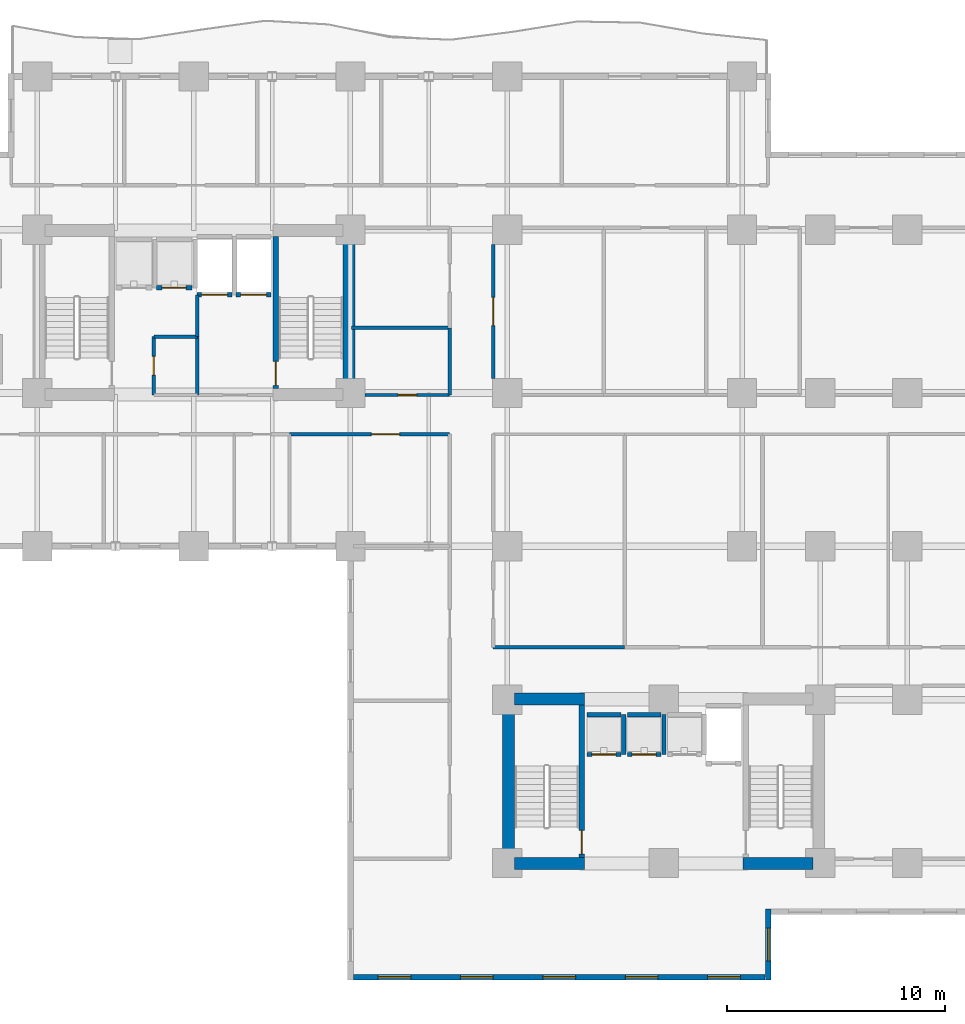
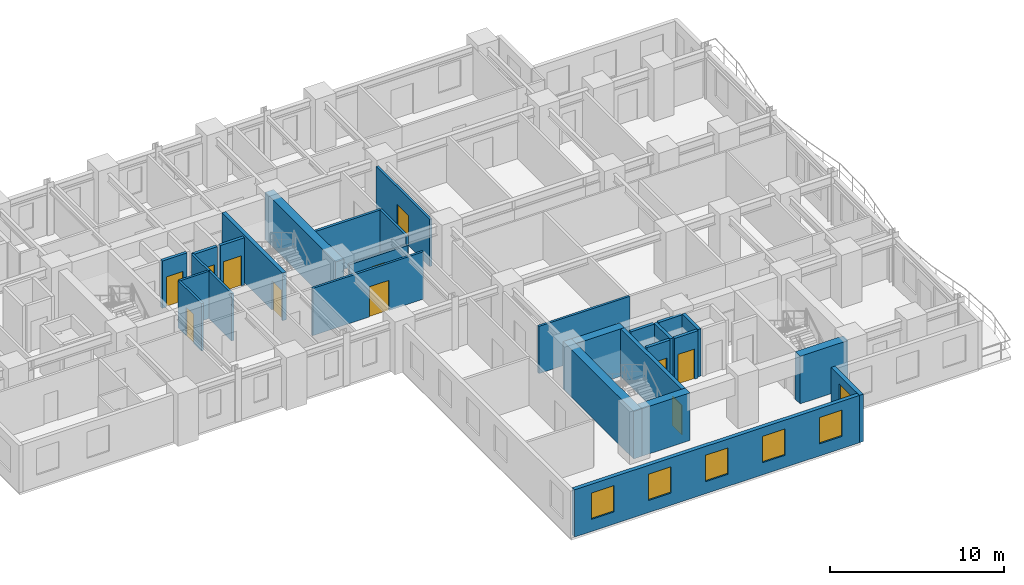
# One storey, part 4 of 12: 28 walls, 11 doors, 6 windows, 17 openings.
"""IFC4 building model written with IfcOpenShell, lengths in metres."""

import ifcopenshell
import ifcopenshell.guid

model = None  # the IFC model being written
_history = None  # IfcOwnerHistory: only IFC2X3 demands one
_inside = {}  # id of a spatial element -> (the spatial element, [elements in it])
_under = {}  # id of a project, library or spatial element -> (it, [spatial elements below it])
_declared = {}  # id of a project -> (the project, [libraries it declares])
_typed = {}  # id of a type object -> (the type object, [elements of that type])
_made_of = {}  # id of a material, layer set ... -> (it, [elements and type objects made of it])


def new_model(schema):
    """Start an empty IFC model of exactly this schema.

    Asked for "IFC4X3", IfcOpenShell would pick the latest addendum, in which some entities
    have other attributes; the version numbers below select the first issue.
    IFC2X3 requires an IfcOwnerHistory on every rooted entity: one is made here for all.
    """
    global model, _history
    if schema == "IFC4X3":
        model = ifcopenshell.file(schema_version=(4, 3, 0, 0))
    else:
        model = ifcopenshell.file(schema=schema)
    _inside.clear()
    _under.clear()
    _declared.clear()
    _typed.clear()
    _made_of.clear()
    _history = None
    if model.schema == "IFC2X3":
        org = make("IfcOrganization", Name="unknown")
        user = make(
            "IfcPersonAndOrganization",
            ThePerson=make("IfcPerson", FamilyName="unknown"),
            TheOrganization=org,
        )
        app = make(
            "IfcApplication",
            ApplicationDeveloper=org,
            Version="unknown",
            ApplicationFullName="unknown",
            ApplicationIdentifier="unknown",
        )
        _history = make(
            "IfcOwnerHistory",
            OwningUser=user,
            OwningApplication=app,
            ChangeAction="ADDED",
            CreationDate=0,
        )
    return model


def make(cls, **values):
    """One entity of the class cls with the attributes given. An attribute that is None is left unset."""
    return model.create_entity(
        cls, **{name: value for name, value in values.items() if value is not None}
    )


def rooted(cls, **values):
    """An entity with a GlobalId (a new one), such as an element, a storey or a relation."""
    return make(cls, GlobalId=ifcopenshell.guid.new(), OwnerHistory=_history, **values)


def si_unit(unit_type, name, prefix=None):
    """IfcSIUnit, for example si_unit("LENGTHUNIT", "METRE", prefix="MILLI")."""
    return make("IfcSIUnit", UnitType=unit_type, Prefix=prefix, Name=name)


def assignment(units):
    """IfcUnitAssignment: the units of a project."""
    return None if units is None else make("IfcUnitAssignment", Units=units)


def point(xyz):
    """IfcCartesianPoint."""
    return None if xyz is None else make("IfcCartesianPoint", Coordinates=xyz)


def direction(xyz):
    """IfcDirection."""
    return None if xyz is None else make("IfcDirection", DirectionRatios=xyz)


def frame(location, z_axis=None, x_axis=None):
    """IfcAxis2Placement3D, a coordinate frame: its origin and axes. An axis left out is left unset."""
    return make(
        "IfcAxis2Placement3D",
        Location=point(location),
        Axis=direction(z_axis),
        RefDirection=direction(x_axis),
    )


def frame_2d(location, x_axis=None):
    """IfcAxis2Placement2D, a coordinate frame in the plane: its origin and x axis."""
    return make(
        "IfcAxis2Placement2D", Location=point(location), RefDirection=direction(x_axis)
    )


def origin():
    """The frame at (0, 0, 0) with its axes left unset."""
    return frame((0.0, 0.0, 0.0))


def place(relative_to, where):
    """IfcLocalPlacement: puts the frame where relative to a parent placement (None: the world)."""
    return make(
        "IfcLocalPlacement", PlacementRelTo=relative_to, RelativePlacement=where
    )


def context(
    kind, dimensions, precision=None, world=None, true_north=None, identifier=None
):
    """IfcGeometricRepresentationContext, for example the 3D "Model" context."""
    return make(
        "IfcGeometricRepresentationContext",
        ContextIdentifier=identifier,
        ContextType=kind,
        CoordinateSpaceDimension=dimensions,
        Precision=precision,
        WorldCoordinateSystem=world,
        TrueNorth=true_north,
    )


def subcontext(parent, identifier, kind, view, scale=None):
    """IfcGeometricRepresentationSubContext, for example "Body" below "Model"."""
    return make(
        "IfcGeometricRepresentationSubContext",
        ContextIdentifier=identifier,
        ContextType=kind,
        ParentContext=parent,
        TargetScale=scale,
        TargetView=view,
    )


def project(units=None, contexts=None):
    """IfcProject with its units and contexts."""
    return rooted(
        "IfcProject",
        Name="project",
        RepresentationContexts=contexts,
        UnitsInContext=assignment(units),
    )


def spatial(cls, under=None, at=None, **own):
    """A site, building, storey or space (cls), placed at a placement, below another one or the project."""
    s = rooted(cls, ObjectPlacement=at, **own)
    if under is not None:
        _under.setdefault(under.id(), (under, []))[1].append(s)
    return s


def profile(cls, at=None, kind="AREA", **sizes):
    """A parametric profile (cls). Its sizes go by their IFC names, for example OverallWidth=200.0."""
    return make(cls, ProfileType=kind, Position=at, **sizes)


def rectangle(**sizes):
    """IfcRectangleProfileDef."""
    return profile("IfcRectangleProfileDef", **sizes)


def extrude(swept, where, along, depth):
    """IfcExtrudedAreaSolid: the profile swept, set in the frame where, extruded along a direction by depth."""
    return make(
        "IfcExtrudedAreaSolid",
        SweptArea=swept,
        Position=where,
        ExtrudedDirection=direction(along),
        Depth=depth,
    )


def shape(context_of_items, identifier, shape_type, items):
    """IfcShapeRepresentation: the items that make up one representation, for example the "Body"."""
    return make(
        "IfcShapeRepresentation",
        ContextOfItems=context_of_items,
        RepresentationIdentifier=identifier,
        RepresentationType=shape_type,
        Items=items,
    )


def material(Name=None, Category=None):
    """IfcMaterial."""
    return make("IfcMaterial", Name=Name, Category=Category)


def layer(
    of_material, thickness, ventilated=None, Name=None, Category=None, Priority=None
):
    """IfcMaterialLayer: one layer of a wall or slab, of a material (None: an air gap)."""
    return make(
        "IfcMaterialLayer",
        Material=of_material,
        LayerThickness=thickness,
        IsVentilated=ventilated,
        Name=Name,
        Category=Category,
        Priority=Priority,
    )


def layer_set(layers, Name=None):
    """IfcMaterialLayerSet."""
    return make("IfcMaterialLayerSet", MaterialLayers=layers, LayerSetName=Name)


def made_of(thing, what):
    """Note that an element or type object is made of a material, layer set ...; save() writes the relation."""
    if what is not None:
        _made_of.setdefault(what.id(), (what, []))[1].append(thing)
    return thing


def type_object(cls, material=None, **own):
    """A type object (cls), such as IfcWallType, which elements share."""
    return made_of(rooted(cls, **own), material)


def element(
    cls,
    number,
    at=None,
    inside=None,
    cuts=None,
    type_object=None,
    material=None,
    context=None,
    identifier="Body",
    shape_type=None,
    held_by="IfcProductDefinitionShape",
    body=None,
    shapes=None,
    **own,
):
    """One element of the class cls, such as IfcWall. Its Tag is "e" and its number.

    at: its placement. inside: the storey or other place that contains it. cuts: it is an
    opening in that element (IfcRelVoidsElement). A single representation is given by context,
    identifier, shape_type and body (its items); several are given by shapes. held_by: the class
    of the entity that holds the representations. save() writes the other relations.
    """
    e = rooted(cls, Tag="e%d" % number, ObjectPlacement=at, **own)
    if body is not None:
        shapes = [shape(context, identifier, shape_type, body)]
    if shapes is not None:
        e.Representation = make(held_by, Representations=shapes)
    if inside is not None:
        _inside.setdefault(inside.id(), (inside, []))[1].append(e)
    if cuts is not None:
        rooted(
            "IfcRelVoidsElement", RelatingBuildingElement=cuts, RelatedOpeningElement=e
        )
    if type_object is not None:
        _typed.setdefault(type_object.id(), (type_object, []))[1].append(e)
    return made_of(e, material)


def fill(opening, filler):
    """IfcRelFillsElement: the door or window that sits in an opening."""
    return rooted(
        "IfcRelFillsElement",
        RelatingOpeningElement=opening,
        RelatedBuildingElement=filler,
    )


def aggregate(whole, parts):
    """IfcRelAggregates: a whole, such as a stair, and the parts it consists of."""
    return rooted("IfcRelAggregates", RelatingObject=whole, RelatedObjects=parts)


def save(model, path):
    """Write the relations noted so far, then the file.

    IfcRelAggregates (storeys below a building ...), IfcRelContainedInSpatialStructure (elements
    in a storey), IfcRelDefinesByType, IfcRelAssociatesMaterial and IfcRelDeclares: one each for
    every whole, place, type object, material and project.
    """
    for whole, parts in _under.values():
        aggregate(whole, parts)
    for where, things in _inside.values():
        rooted(
            "IfcRelContainedInSpatialStructure",
            RelatedElements=things,
            RelatingStructure=where,
        )
    for kind, things in _typed.values():
        rooted("IfcRelDefinesByType", RelatedObjects=things, RelatingType=kind)
    for what, things in _made_of.values():
        rooted("IfcRelAssociatesMaterial", RelatedObjects=things, RelatingMaterial=what)
    for by, libraries in _declared.values():
        rooted("IfcRelDeclares", RelatingContext=by, RelatedDefinitions=libraries)
    model.write(path)


model = new_model("IFC4")

# Units and contexts
model_context = context("Model", 3, precision=1e-05, world=origin(), true_north=direction((0.0, 1.0)))
body_context = subcontext(model_context, "Body", "Model", "MODEL_VIEW")
ifc_project = project(units=[si_unit("LENGTHUNIT", "METRE"), si_unit("AREAUNIT", "SQUARE_METRE"), si_unit("VOLUMEUNIT", "CUBIC_METRE"), si_unit("PLANEANGLEUNIT", "RADIAN"), si_unit("MASSUNIT", "GRAM", prefix="KILO")], contexts=[model_context])

# Site, building, storey
site_placement = place(None, origin())
site = spatial("IfcSite", under=ifc_project, at=site_placement, CompositionType="ELEMENT")
building_placement = place(site_placement, origin())
building = spatial("IfcBuilding", under=site, at=building_placement, Name="Kaliganga Portal Commons", CompositionType="ELEMENT")
storey_placement = place(building_placement, frame((0.0, 0.0, 69.699951171875)))
storey = spatial("IfcBuildingStorey", under=building, at=storey_placement, Name="L17", CompositionType="ELEMENT", Elevation=69.699951171875)

# Walls
ifc_material_1 = material(Name="Concrete C60/75", Category="concrete")
ifc_layer_1 = layer(ifc_material_1, 0.550048828125)
ifc_layer_set_1 = layer_set([ifc_layer_1], Name="Concrete C60/75")
wall_type_1 = type_object("IfcWallType", Name="WL-CORE-550", PredefinedType="SHEAR", material=ifc_layer_set_1)
wall_1_placement = place(storey_placement, frame((28.72509765625, 28.300048828125, 0.0), z_axis=(0.0, 0.0, 1.0), x_axis=(0.0, 1.0, 0.0)))
element("IfcWall", 1, at=wall_1_placement, inside=storey, type_object=wall_type_1, Name="Core A East Shear Wall L17", PredefinedType="SHEAR", context=body_context, shape_type="SweptSolid", body=[
    extrude(rectangle(XDim=8.099853515625, YDim=0.550048828125, at=frame_2d((4.0498046875, 0.0))), origin(), (0.0, 0.0, 1.0), 3.340087890625),
])
wall_2_placement = place(storey_placement, frame((36.074951171875, 6.75, 0.0), z_axis=(0.0, 0.0, 1.0), x_axis=(0.0, 1.0, 0.0)))
element("IfcWall", 2, at=wall_2_placement, inside=storey, type_object=wall_type_1, Name="Core B West Shear Wall L17", PredefinedType="SHEAR", context=body_context, shape_type="SweptSolid", body=[
    extrude(rectangle(XDim=8.10009765625, YDim=0.550048828125, at=frame_2d((4.050048828125, 0.0))), origin(), (0.0, 0.0, 1.0), 3.340087890625),
])
for number, where, z_axis, x_axis, name in (
    (3, (36.35009765625, 7.02490234375, 0.0), (0.0, 0.0, 1.0), (1.0, 0.0, 0.0), "Core B S-West Shear Wall L17"),
    (4, (46.85009765625, 7.02490234375, 0.0), (0.0, 0.0, 1.0), (1.0, 0.0, 0.0), "Core B S-East Shear Wall L17"),
    (5, (36.35009765625, 14.574951171875, 0.0), (0.0, 0.0, 1.0), (1.0, 0.0, 0.0), "Core B N-West Shear Wall L17"),
):
    element("IfcWall", number, at=place(storey_placement, frame(where, z_axis=z_axis, x_axis=x_axis)), inside=storey, type_object=wall_type_1, Name=name, PredefinedType="SHEAR", context=body_context, shape_type="SweptSolid", body=[
        extrude(rectangle(XDim=3.199951171875, YDim=0.550048828125, at=frame_2d((1.60009765625, 0.0))), origin(), (0.0, 0.0, 1.0), 3.340087890625),
    ])

# Wall, openings, windows
ifc_material_2 = material(Name="Insulated Aluminium-Clad Spandrel Assembly", Category="aluminium")
ifc_layer_2 = layer(ifc_material_2, 0.260009765625)
ifc_layer_set_2 = layer_set([ifc_layer_2], Name="Insulated Aluminium-Clad Spandrel Assembly")
wall_type_2 = type_object("IfcWallType", Name="WL-EXT-SPAND-260", PredefinedType="STANDARD", material=ifc_layer_set_2)
wall_3_placement = place(storey_placement, frame((47.864990234375, 1.800048828125, 0.0), z_axis=(0.0, 0.0, 1.0), x_axis=(-1.0, 0.0, 0.0)))
wall_3 = element("IfcWall", 6, at=wall_3_placement, inside=storey, type_object=wall_type_2, Name="Exterior Envelope Wall L17 P1-E00-S1", PredefinedType="STANDARD", context=body_context, shape_type="SweptSolid", body=[
    extrude(rectangle(XDim=18.929931640625, YDim=0.260009765625, at=frame_2d((9.46484375, 0.0))), origin(), (0.0, 0.0, 1.0), 3.320068359375),
])
opening_1_placement = place(wall_3_placement, frame((1.14306640625, 0.0, 0.85009765625)))
opening_1 = element("IfcOpeningElement", 7, at=opening_1_placement, cuts=wall_3, Name="Opening W-02", PredefinedType="OPENING", context=body_context, shape_type="SweptSolid", body=[
    extrude(rectangle(XDim=1.5, YDim=1.85009765625, at=frame_2d((0.75, 0.925048828125))), frame((0.0, 0.14013671875, 0.0), z_axis=(0.0, -1.0, 0.0), x_axis=(1.0, 0.0, 0.0)), (0.0, 0.0, 1.0), 0.280029296875),
])
opening_2_placement = place(wall_3_placement, frame((4.928955078125, 0.0, 0.85009765625)))
opening_2 = element("IfcOpeningElement", 8, at=opening_2_placement, cuts=wall_3, Name="Opening W-02", PredefinedType="OPENING", context=body_context, shape_type="SweptSolid", body=[
    extrude(rectangle(XDim=1.5, YDim=1.85009765625, at=frame_2d((0.75, 0.925048828125))), frame((0.0, 0.14013671875, 0.0), z_axis=(0.0, -1.0, 0.0), x_axis=(1.0, 0.0, 0.0)), (0.0, 0.0, 1.0), 0.280029296875),
])
opening_3_placement = place(wall_3_placement, frame((8.715087890625, 0.0, 0.85009765625)))
opening_3 = element("IfcOpeningElement", 9, at=opening_3_placement, cuts=wall_3, Name="Opening W-02", PredefinedType="OPENING", context=body_context, shape_type="SweptSolid", body=[
    extrude(rectangle(XDim=1.5, YDim=1.85009765625, at=frame_2d((0.75, 0.925048828125))), frame((0.0, 0.14013671875, 0.0), z_axis=(0.0, -1.0, 0.0), x_axis=(1.0, 0.0, 0.0)), (0.0, 0.0, 1.0), 0.280029296875),
])
opening_4_placement = place(wall_3_placement, frame((12.5009765625, 0.0, 0.85009765625)))
opening_4 = element("IfcOpeningElement", 10, at=opening_4_placement, cuts=wall_3, Name="Opening W-02", PredefinedType="OPENING", context=body_context, shape_type="SweptSolid", body=[
    extrude(rectangle(XDim=1.5, YDim=1.85009765625, at=frame_2d((0.75, 0.925048828125))), frame((0.0, 0.14013671875, 0.0), z_axis=(0.0, -1.0, 0.0), x_axis=(1.0, 0.0, 0.0)), (0.0, 0.0, 1.0), 0.280029296875),
])
opening_5_placement = place(wall_3_placement, frame((16.287109375, 0.0, 0.85009765625)))
opening_5 = element("IfcOpeningElement", 11, at=opening_5_placement, cuts=wall_3, Name="Opening W-02", PredefinedType="OPENING", context=body_context, shape_type="SweptSolid", body=[
    extrude(rectangle(XDim=1.5, YDim=1.85009765625, at=frame_2d((0.75, 0.925048828125))), frame((0.0, 0.14013671875, 0.0), z_axis=(0.0, -1.0, 0.0), x_axis=(1.0, 0.0, 0.0)), (0.0, 0.0, 1.0), 0.280029296875),
])
ifc_material_3 = material(Name="Thermally Broken Aluminium and Low-E Double Glazing", Category="aluminium")
window_type = type_object("IfcWindowType", Name="WIN-STD-1500", PartitioningType="DOUBLE_PANEL_VERTICAL", PredefinedType="WINDOW", material=ifc_material_3)
window_1_placement = place(opening_1_placement, origin())
window_1 = element("IfcWindow", 12, at=window_1_placement, inside=storey, type_object=window_type, Name="Facade Window L17-P1E00S1-00", OverallHeight=1.85009765625, OverallWidth=1.5, PartitioningType="SINGLE_PANEL", PredefinedType="WINDOW", context=body_context, shape_type="SweptSolid", body=[
    extrude(rectangle(XDim=1.5, YDim=1.85009765625, at=frame_2d((0.75, 0.925048828125))), frame((0.0, 0.030029296875, 0.0), z_axis=(0.0, -1.0, 0.0), x_axis=(1.0, 0.0, 0.0)), (0.0, 0.0, 1.0), 0.06005859375),
])
fill(opening_1, window_1)
window_2_placement = place(opening_2_placement, origin())
window_2 = element("IfcWindow", 13, at=window_2_placement, inside=storey, type_object=window_type, Name="Facade Window L17-P1E00S1-01", OverallHeight=1.85009765625, OverallWidth=1.5, PartitioningType="SINGLE_PANEL", PredefinedType="WINDOW", context=body_context, shape_type="SweptSolid", body=[
    extrude(rectangle(XDim=1.5, YDim=1.85009765625, at=frame_2d((0.75, 0.925048828125))), frame((0.0, 0.030029296875, 0.0), z_axis=(0.0, -1.0, 0.0), x_axis=(1.0, 0.0, 0.0)), (0.0, 0.0, 1.0), 0.06005859375),
])
fill(opening_2, window_2)
window_3_placement = place(opening_3_placement, origin())
window_3 = element("IfcWindow", 14, at=window_3_placement, inside=storey, type_object=window_type, Name="Facade Window L17-P1E00S1-02", OverallHeight=1.85009765625, OverallWidth=1.5, PartitioningType="SINGLE_PANEL", PredefinedType="WINDOW", context=body_context, shape_type="SweptSolid", body=[
    extrude(rectangle(XDim=1.5, YDim=1.85009765625, at=frame_2d((0.75, 0.925048828125))), frame((0.0, 0.030029296875, 0.0), z_axis=(0.0, -1.0, 0.0), x_axis=(1.0, 0.0, 0.0)), (0.0, 0.0, 1.0), 0.06005859375),
])
fill(opening_3, window_3)
window_4_placement = place(opening_4_placement, origin())
window_4 = element("IfcWindow", 15, at=window_4_placement, inside=storey, type_object=window_type, Name="Facade Window L17-P1E00S1-03", OverallHeight=1.85009765625, OverallWidth=1.5, PartitioningType="SINGLE_PANEL", PredefinedType="WINDOW", context=body_context, shape_type="SweptSolid", body=[
    extrude(rectangle(XDim=1.5, YDim=1.85009765625, at=frame_2d((0.75, 0.925048828125))), frame((0.0, 0.030029296875, 0.0), z_axis=(0.0, -1.0, 0.0), x_axis=(1.0, 0.0, 0.0)), (0.0, 0.0, 1.0), 0.06005859375),
])
fill(opening_4, window_4)
window_5_placement = place(opening_5_placement, origin())
window_5 = element("IfcWindow", 16, at=window_5_placement, inside=storey, type_object=window_type, Name="Facade Window L17-P1E00S1-04", OverallHeight=1.85009765625, OverallWidth=1.5, PartitioningType="SINGLE_PANEL", PredefinedType="WINDOW", context=body_context, shape_type="SweptSolid", body=[
    extrude(rectangle(XDim=1.5, YDim=1.85009765625, at=frame_2d((0.75, 0.925048828125))), frame((0.0, 0.030029296875, 0.0), z_axis=(0.0, -1.0, 0.0), x_axis=(1.0, 0.0, 0.0)), (0.0, 0.0, 1.0), 0.06005859375),
])
fill(opening_5, window_5)

# Wall, opening, window
wall_4_placement = place(storey_placement, frame((48.0, 4.929931640625, 0.0), z_axis=(0.0, 0.0, 1.0), x_axis=(0.0, -1.0, 0.0)))
wall_4 = element("IfcWall", 17, at=wall_4_placement, inside=storey, type_object=wall_type_2, Name="Exterior Envelope Wall L17 P1-E01-S1", PredefinedType="STANDARD", context=body_context, shape_type="SweptSolid", body=[
    extrude(rectangle(XDim=3.260009765625, YDim=0.260009765625, at=frame_2d((1.6298828125, 0.0))), origin(), (0.0, 0.0, 1.0), 3.320068359375),
])
opening_6_placement = place(wall_4_placement, frame((0.8798828125, 0.0, 0.85009765625)))
opening_6 = element("IfcOpeningElement", 18, at=opening_6_placement, cuts=wall_4, Name="Opening W-02", PredefinedType="OPENING", context=body_context, shape_type="SweptSolid", body=[
    extrude(rectangle(XDim=1.5, YDim=1.85009765625, at=frame_2d((0.75, 0.925048828125))), frame((0.0, 0.14013671875, 0.0), z_axis=(0.0, -1.0, 0.0), x_axis=(1.0, 0.0, 0.0)), (0.0, 0.0, 1.0), 0.280029296875),
])
window_6_placement = place(opening_6_placement, origin())
window_6 = element("IfcWindow", 19, at=window_6_placement, inside=storey, type_object=window_type, Name="Facade Window L17-P1E01S1-00", OverallHeight=1.85009765625, OverallWidth=1.5, PartitioningType="SINGLE_PANEL", PredefinedType="WINDOW", context=body_context, shape_type="SweptSolid", body=[
    extrude(rectangle(XDim=1.5, YDim=1.85009765625, at=frame_2d((0.75, 0.925048828125))), frame((0.0, 0.030029296875, 0.0), z_axis=(0.0, -1.0, 0.0), x_axis=(1.0, 0.0, 0.0)), (0.0, 0.0, 1.0), 0.06005859375),
])
fill(opening_6, window_6)

# Wall, opening, door
ifc_material_4 = material(Name="Fire-Rated Gypsum Board on Steel Stud", Category="steel")
ifc_layer_3 = layer(ifc_material_4, 0.14990234375)
ifc_layer_set_3 = layer_set([ifc_layer_3], Name="Fire-Rated Gypsum Board on Steel Stud")
wall_type_3 = type_object("IfcWallType", Name="WL-PART-CORR-150", PredefinedType="PARTITIONING", material=ifc_layer_set_3)
wall_5_placement = place(storey_placement, frame((35.360107421875, 29.324951171875, 0.0), z_axis=(0.0, 0.0, 1.0), x_axis=(0.0, 1.0, 0.0)))
wall_5 = element("IfcWall", 20, at=wall_5_placement, inside=storey, type_object=wall_type_3, Name="Interior Partition L17-010", PredefinedType="PARTITIONING", context=body_context, shape_type="SweptSolid", body=[
    extrude(rectangle(XDim=6.150146484375, YDim=0.14990234375, at=frame_2d((3.0751953125, 0.0))), origin(), (0.0, 0.0, 1.0), 3.320068359375),
])
opening_7_placement = place(wall_5_placement, frame((2.425048828125, 0.0, 0.0)))
opening_7 = element("IfcOpeningElement", 21, at=opening_7_placement, cuts=wall_5, Name="Opening RD-03", PredefinedType="OPENING", context=body_context, shape_type="SweptSolid", body=[
    extrude(rectangle(XDim=1.300048828125, YDim=2.1201171875, at=frame_2d((0.64990234375, 1.06005859375))), frame((0.0, 0.0849609375, 0.0), z_axis=(0.0, -1.0, 0.0), x_axis=(1.0, 0.0, 0.0)), (0.0, 0.0, 1.0), 0.169921875),
])
ifc_material_5 = material(Name="Glazed Timber Seminar Vision Door", Category="wood")
door_type_1 = type_object("IfcDoorType", Name="DR-STUDY-1300", OperationType="DOUBLE_DOOR_SINGLE_SWING", PredefinedType="DOOR", material=ifc_material_5)
door_1_placement = place(opening_7_placement, origin())
door_1 = element("IfcDoor", 22, at=door_1_placement, inside=storey, type_object=door_type_1, Name="Interior Door L17-BK01", OperationType="DOUBLE_DOOR_SINGLE_SWING", OverallHeight=2.1201171875, OverallWidth=1.300048828125, PredefinedType="DOOR", context=body_context, shape_type="SweptSolid", body=[
    extrude(rectangle(XDim=1.300048828125, YDim=2.1201171875, at=frame_2d((0.64990234375, 1.06005859375))), frame((0.0, 0.02490234375, 0.0), z_axis=(0.0, -1.0, 0.0), x_axis=(1.0, 0.0, 0.0)), (0.0, 0.0, 1.0), 0.050048828125),
])
fill(opening_7, door_1)

wall_6_placement = place(storey_placement, frame((26.0, 26.760009765625, 0.0), z_axis=(0.0, 0.0, 1.0), x_axis=(1.0, 0.0, 0.0)))
wall_6 = element("IfcWall", 23, at=wall_6_placement, inside=storey, type_object=wall_type_3, Name="Interior Partition L17-012", PredefinedType="PARTITIONING", context=body_context, shape_type="SweptSolid", body=[
    extrude(rectangle(XDim=7.360107421875, YDim=0.14990234375, at=frame_2d((3.68017578125, 0.0))), origin(), (0.0, 0.0, 1.0), 3.320068359375),
])
opening_8_placement = place(wall_6_placement, frame((3.76611328125, 0.0, 0.0)))
opening_8 = element("IfcOpeningElement", 24, at=opening_8_placement, cuts=wall_6, Name="Opening RD-03", PredefinedType="OPENING", context=body_context, shape_type="SweptSolid", body=[
    extrude(rectangle(XDim=1.300048828125, YDim=2.1201171875, at=frame_2d((0.64990234375, 1.06005859375))), frame((0.0, 0.0849609375, 0.0), z_axis=(0.0, -1.0, 0.0), x_axis=(1.0, 0.0, 0.0)), (0.0, 0.0, 1.0), 0.169921875),
])
door_2_placement = place(opening_8_placement, origin())
door_2 = element("IfcDoor", 25, at=door_2_placement, inside=storey, type_object=door_type_1, Name="Interior Door L17-AS05", OperationType="DOUBLE_DOOR_SINGLE_SWING", OverallHeight=2.1201171875, OverallWidth=1.300048828125, PredefinedType="DOOR", context=body_context, shape_type="SweptSolid", body=[
    extrude(rectangle(XDim=1.300048828125, YDim=2.1201171875, at=frame_2d((0.64990234375, 1.06005859375))), frame((0.0, 0.02490234375, 0.0), z_axis=(0.0, -1.0, 0.0), x_axis=(1.0, 0.0, 0.0)), (0.0, 0.0, 1.0), 0.050048828125),
])
fill(opening_8, door_2)

# Wall
wall_7_placement = place(storey_placement, frame((35.360107421875, 16.9599609375, 0.0), z_axis=(0.0, 0.0, 1.0), x_axis=(1.0, 0.0, 0.0)))
element("IfcWall", 26, at=wall_7_placement, inside=storey, type_object=wall_type_3, Name="Interior Partition L17-021", PredefinedType="PARTITIONING", context=body_context, shape_type="SweptSolid", body=[
    extrude(rectangle(XDim=6.039794921875, YDim=0.14990234375, at=frame_2d((3.02001953125, 0.0))), origin(), (0.0, 0.0, 1.0), 3.320068359375),
])

# Wall, opening, door
wall_8_placement = place(storey_placement, frame((29.47509765625, 28.56005859375, 0.0), z_axis=(0.0, 0.0, 1.0), x_axis=(1.0, 0.0, 0.0)))
wall_8 = element("IfcWall", 27, at=wall_8_placement, inside=storey, type_object=wall_type_3, Name="Interior Partition L17-034", PredefinedType="PARTITIONING", context=body_context, shape_type="SweptSolid", body=[
    extrude(rectangle(XDim=3.885009765625, YDim=0.14990234375, at=frame_2d((1.9423828125, 0.0))), origin(), (0.0, 0.0, 1.0), 2.670166015625),
])
opening_9_placement = place(wall_8_placement, frame((1.512451171875, 0.0, 0.0)))
opening_9 = element("IfcOpeningElement", 28, at=opening_9_placement, cuts=wall_8, Name="Opening WD-02", PredefinedType="OPENING", context=body_context, shape_type="SweptSolid", body=[
    extrude(rectangle(XDim=0.860107421875, YDim=2.02001953125, at=frame_2d((0.43017578125, 1.010009765625))), frame((0.0, 0.0849609375, 0.0), z_axis=(0.0, -1.0, 0.0), x_axis=(1.0, 0.0, 0.0)), (0.0, 0.0, 1.0), 0.169921875),
])
ifc_material_6 = material(Name="Fire-Rated Utility Closet Door", Category="wood")
door_type_2 = type_object("IfcDoorType", Name="DR-STORE-800", OperationType="NOTDEFINED", PredefinedType="DOOR", material=ifc_material_6)
door_3_placement = place(opening_9_placement, origin())
door_3 = element("IfcDoor", 29, at=door_3_placement, inside=storey, type_object=door_type_2, Name="Interior Door L17-CSRV_A1", OperationType="SINGLE_SWING_LEFT", OverallHeight=2.02001953125, OverallWidth=0.860107421875, PredefinedType="DOOR", context=body_context, shape_type="SweptSolid", body=[
    extrude(rectangle(XDim=0.860107421875, YDim=2.02001953125, at=frame_2d((0.43017578125, 1.010009765625))), frame((0.0, 0.02490234375, 0.0), z_axis=(0.0, -1.0, 0.0), x_axis=(1.0, 0.0, 0.0)), (0.0, 0.0, 1.0), 0.050048828125),
])
fill(opening_9, door_3)

# Wall
wall_9_placement = place(storey_placement, frame((33.360107421875, 28.56005859375, 0.0), z_axis=(0.0, 0.0, 1.0), x_axis=(0.0, 1.0, 0.0)))
element("IfcWall", 30, at=wall_9_placement, inside=storey, type_object=wall_type_3, Name="Interior Partition L17-041", PredefinedType="PARTITIONING", context=body_context, shape_type="SweptSolid", body=[
    extrude(rectangle(XDim=3.079833984375, YDim=0.14990234375, at=frame_2d((1.5400390625, 0.0))), origin(), (0.0, 0.0, 1.0), 3.320068359375),
])

# Wall, opening, door
wall_10_placement = place(storey_placement, frame((19.760009765625, 28.56005859375, 0.0), z_axis=(0.0, 0.0, 1.0), x_axis=(0.0, 1.0, 0.0)))
wall_10 = element("IfcWall", 31, at=wall_10_placement, inside=storey, type_object=wall_type_3, Name="Interior Partition L17-042", PredefinedType="PARTITIONING", context=body_context, shape_type="SweptSolid", body=[
    extrude(rectangle(XDim=2.679931640625, YDim=0.14990234375, at=frame_2d((1.33984375, 0.0))), origin(), (0.0, 0.0, 1.0), 3.320068359375),
])
opening_10_placement = place(wall_10_placement, frame((0.909912109375, 0.0, 0.0)))
opening_10 = element("IfcOpeningElement", 32, at=opening_10_placement, cuts=wall_10, Name="Opening WD-02", PredefinedType="OPENING", context=body_context, shape_type="SweptSolid", body=[
    extrude(rectangle(XDim=0.860107421875, YDim=2.02001953125, at=frame_2d((0.43017578125, 1.010009765625))), frame((0.0, 0.0849609375, 0.0), z_axis=(0.0, -1.0, 0.0), x_axis=(1.0, 0.0, 0.0)), (0.0, 0.0, 1.0), 0.169921875),
])
door_4_placement = place(opening_10_placement, origin())
door_4 = element("IfcDoor", 33, at=door_4_placement, inside=storey, type_object=door_type_2, Name="Interior Door L17-CIN_A1", OperationType="SINGLE_SWING_RIGHT", OverallHeight=2.02001953125, OverallWidth=0.860107421875, PredefinedType="DOOR", context=body_context, shape_type="SweptSolid", body=[
    extrude(rectangle(XDim=0.860107421875, YDim=2.02001953125, at=frame_2d((0.43017578125, 1.010009765625))), frame((0.0, 0.02490234375, 0.0), z_axis=(0.0, -1.0, 0.0), x_axis=(1.0, 0.0, 0.0)), (0.0, 0.0, 1.0), 0.050048828125),
])
fill(opening_10, door_4)

# Walls
wall_11_placement = place(storey_placement, frame((21.760009765625, 28.56005859375, 0.0), z_axis=(0.0, 0.0, 1.0), x_axis=(0.0, 1.0, 0.0)))
element("IfcWall", 34, at=wall_11_placement, inside=storey, type_object=wall_type_3, Name="Interior Partition L17-043", PredefinedType="PARTITIONING", context=body_context, shape_type="SweptSolid", body=[
    extrude(rectangle(XDim=2.679931640625, YDim=0.14990234375, at=frame_2d((1.33984375, 0.0))), origin(), (0.0, 0.0, 1.0), 3.320068359375),
])
wall_12_placement = place(storey_placement, frame((19.760009765625, 31.239990234375, 0.0), z_axis=(0.0, 0.0, 1.0), x_axis=(1.0, 0.0, 0.0)))
element("IfcWall", 35, at=wall_12_placement, inside=storey, type_object=wall_type_3, Name="Interior Partition L17-046", PredefinedType="PARTITIONING", context=body_context, shape_type="SweptSolid", body=[
    extrude(rectangle(XDim=2.0, YDim=0.14990234375, at=frame_2d((1.0, 0.0))), origin(), (0.0, 0.0, 1.0), 3.320068359375),
])
wall_13_placement = place(storey_placement, frame((21.760009765625, 31.239990234375, 0.0), z_axis=(0.0, 0.0, 1.0), x_axis=(0.0, 1.0, 0.0)))
element("IfcWall", 36, at=wall_13_placement, inside=storey, type_object=wall_type_3, Name="Interior Partition L17-082", PredefinedType="PARTITIONING", context=body_context, shape_type="SweptSolid", body=[
    extrude(rectangle(XDim=1.919921875, YDim=0.14990234375, at=frame_2d((0.9599609375, 0.0))), origin(), (0.0, 0.0, 1.0), 3.320068359375),
])
ifc_material_7 = material(Name="Twin-Stud Acoustic Gypsum Partition", Category="gypsum")
ifc_layer_4 = layer(ifc_material_7, 0.1650390625)
ifc_layer_set_4 = layer_set([ifc_layer_4], Name="Twin-Stud Acoustic Gypsum Partition")
wall_type_4 = type_object("IfcWallType", Name="WL-PART-UNIT-165", PredefinedType="PARTITIONING", material=ifc_layer_set_4)
wall_14_placement = place(storey_placement, frame((28.840087890625, 31.639892578125, 0.0), z_axis=(0.0, 0.0, 1.0), x_axis=(1.0, 0.0, 0.0)))
element("IfcWall", 37, at=wall_14_placement, inside=storey, type_object=wall_type_4, Name="Interior Partition L17-076", PredefinedType="PARTITIONING", context=body_context, shape_type="SweptSolid", body=[
    extrude(rectangle(XDim=4.52001953125, YDim=0.1650390625, at=frame_2d((2.260009765625, 0.0))), origin(), (0.0, 0.0, 1.0), 3.320068359375),
])

# Wall, opening, door
ifc_material_8 = material(Name="Fire-Rated Shaftwall Masonry Assembly", Category="masonry")
ifc_layer_5 = layer(ifc_material_8, 0.199951171875)
ifc_layer_set_5 = layer_set([ifc_layer_5], Name="Fire-Rated Shaftwall Masonry Assembly")
wall_type_5 = type_object("IfcWallType", Name="WL-SHAFT-200", PredefinedType="PARTITIONING", material=ifc_layer_set_5)
wall_15_placement = place(storey_placement, frame((19.875, 33.485107421875, 0.0), z_axis=(0.0, 0.0, 1.0), x_axis=(1.0, 0.0, 0.0)))
wall_15 = element("IfcWall", 38, at=wall_15_placement, inside=storey, type_object=wall_type_5, Name="Lift PL-A2 Hoistway Shaft Wall L17-S", PredefinedType="PARTITIONING", context=body_context, shape_type="SweptSolid", body=[
    extrude(rectangle(XDim=1.64990234375, YDim=0.199951171875, at=frame_2d((0.824951171875, 0.0))), origin(), (0.0, 0.0, 1.0), 3.320068359375),
])
opening_11_placement = place(wall_15_placement, frame((0.27490234375, 0.0, 0.0)))
opening_11 = element("IfcOpeningElement", 39, at=opening_11_placement, cuts=wall_15, Name="Opening LD-01", PredefinedType="OPENING", context=body_context, shape_type="SweptSolid", body=[
    extrude(rectangle(XDim=1.10009765625, YDim=2.1201171875, at=frame_2d((0.550048828125, 1.06005859375))), frame((0.0, 0.10986328125, 0.0), z_axis=(0.0, -1.0, 0.0), x_axis=(1.0, 0.0, 0.0)), (0.0, 0.0, 1.0), 0.219970703125),
])
ifc_material_9 = material(Name="Brushed Stainless Steel 316 Lift Landing Door", Category="steel")
door_type_3 = type_object("IfcDoorType", Name="DR-LIFT-1100", OperationType="SLIDING_TO_LEFT", PredefinedType="DOOR", material=ifc_material_9)
door_5_placement = place(opening_11_placement, origin())
door_5 = element("IfcDoor", 40, at=door_5_placement, inside=storey, type_object=door_type_3, Name="Lift PL-A2 Sliding Landing Door L17", OperationType="SLIDING_TO_LEFT", OverallHeight=2.1201171875, OverallWidth=1.10009765625, PredefinedType="DOOR", context=body_context, shape_type="SweptSolid", body=[
    extrude(rectangle(XDim=1.10009765625, YDim=2.1201171875, at=frame_2d((0.550048828125, 1.06005859375))), frame((0.0, 0.02490234375, 0.0), z_axis=(0.0, -1.0, 0.0), x_axis=(1.0, 0.0, 0.0)), (0.0, 0.0, 1.0), 0.050048828125),
])
fill(opening_11, door_5)

wall_16_placement = place(storey_placement, frame((21.75, 33.159912109375, 0.0), z_axis=(0.0, 0.0, 1.0), x_axis=(1.0, 0.0, 0.0)))
wall_16 = element("IfcWall", 41, at=wall_16_placement, inside=storey, type_object=wall_type_5, Name="Lift FFL-1 Hoistway Shaft Wall L17-S", PredefinedType="PARTITIONING", context=body_context, shape_type="SweptSolid", body=[
    extrude(rectangle(XDim=1.60009765625, YDim=0.199951171875, at=frame_2d((0.800048828125, 0.0))), origin(), (0.0, 0.0, 1.0), 3.320068359375),
])
opening_12_placement = place(wall_16_placement, frame((0.199951171875, 0.0, 0.0)))
opening_12 = element("IfcOpeningElement", 42, at=opening_12_placement, cuts=wall_16, Name="Opening LD-02", PredefinedType="OPENING", context=body_context, shape_type="SweptSolid", body=[
    extrude(rectangle(XDim=1.199951171875, YDim=2.1201171875, at=frame_2d((0.60009765625, 1.06005859375))), frame((0.0, 0.10986328125, 0.0), z_axis=(0.0, -1.0, 0.0), x_axis=(1.0, 0.0, 0.0)), (0.0, 0.0, 1.0), 0.219970703125),
])
ifc_material_10 = material(Name="Brushed Stainless Steel 316 Stretcher Lift Landing Door", Category="steel")
door_type_4 = type_object("IfcDoorType", Name="DR-LIFT-1200", OperationType="SLIDING_TO_RIGHT", PredefinedType="DOOR", material=ifc_material_10)
door_6_placement = place(opening_12_placement, origin())
door_6 = element("IfcDoor", 43, at=door_6_placement, inside=storey, type_object=door_type_4, Name="Lift FFL-1 Sliding Landing Door L17", OperationType="SLIDING_TO_RIGHT", OverallHeight=2.1201171875, OverallWidth=1.199951171875, PredefinedType="DOOR", context=body_context, shape_type="SweptSolid", body=[
    extrude(rectangle(XDim=1.199951171875, YDim=2.1201171875, at=frame_2d((0.60009765625, 1.06005859375))), frame((0.0, 0.02490234375, 0.0), z_axis=(0.0, -1.0, 0.0), x_axis=(1.0, 0.0, 0.0)), (0.0, 0.0, 1.0), 0.050048828125),
])
fill(opening_12, door_6)

wall_17_placement = place(storey_placement, frame((23.550048828125, 33.159912109375, 0.0), z_axis=(0.0, 0.0, 1.0), x_axis=(1.0, 0.0, 0.0)))
wall_17 = element("IfcWall", 44, at=wall_17_placement, inside=storey, type_object=wall_type_5, Name="Lift FFL-2 Hoistway Shaft Wall L17-S", PredefinedType="PARTITIONING", context=body_context, shape_type="SweptSolid", body=[
    extrude(rectangle(XDim=1.599853515625, YDim=0.199951171875, at=frame_2d((0.7998046875, 0.0))), origin(), (0.0, 0.0, 1.0), 3.320068359375),
])
opening_13_placement = place(wall_17_placement, frame((0.199951171875, 0.0, 0.0)))
opening_13 = element("IfcOpeningElement", 45, at=opening_13_placement, cuts=wall_17, Name="Opening LD-02", PredefinedType="OPENING", context=body_context, shape_type="SweptSolid", body=[
    extrude(rectangle(XDim=1.199951171875, YDim=2.1201171875, at=frame_2d((0.60009765625, 1.06005859375))), frame((0.0, 0.10986328125, 0.0), z_axis=(0.0, -1.0, 0.0), x_axis=(1.0, 0.0, 0.0)), (0.0, 0.0, 1.0), 0.219970703125),
])
door_7_placement = place(opening_13_placement, origin())
door_7 = element("IfcDoor", 46, at=door_7_placement, inside=storey, type_object=door_type_4, Name="Lift FFL-2 Sliding Landing Door L17", OperationType="SLIDING_TO_RIGHT", OverallHeight=2.1201171875, OverallWidth=1.199951171875, PredefinedType="DOOR", context=body_context, shape_type="SweptSolid", body=[
    extrude(rectangle(XDim=1.199951171875, YDim=2.1201171875, at=frame_2d((0.60009765625, 1.06005859375))), frame((0.0, 0.02490234375, 0.0), z_axis=(0.0, -1.0, 0.0), x_axis=(1.0, 0.0, 0.0)), (0.0, 0.0, 1.0), 0.050048828125),
])
fill(opening_13, door_7)

wall_18_placement = place(storey_placement, frame((39.675048828125, 12.034912109375, 0.0), z_axis=(0.0, 0.0, 1.0), x_axis=(1.0, 0.0, 0.0)))
wall_18 = element("IfcWall", 47, at=wall_18_placement, inside=storey, type_object=wall_type_5, Name="Lift PL-B1 Hoistway Shaft Wall L17-S", PredefinedType="PARTITIONING", context=body_context, shape_type="SweptSolid", body=[
    extrude(rectangle(XDim=1.550048828125, YDim=0.199951171875, at=frame_2d((0.77490234375, 0.0))), origin(), (0.0, 0.0, 1.0), 3.320068359375),
])
opening_14_placement = place(wall_18_placement, frame((0.22509765625, 0.0, 0.0)))
opening_14 = element("IfcOpeningElement", 48, at=opening_14_placement, cuts=wall_18, Name="Opening LD-01", PredefinedType="OPENING", context=body_context, shape_type="SweptSolid", body=[
    extrude(rectangle(XDim=1.10009765625, YDim=2.1201171875, at=frame_2d((0.550048828125, 1.06005859375))), frame((0.0, 0.10986328125, 0.0), z_axis=(0.0, -1.0, 0.0), x_axis=(1.0, 0.0, 0.0)), (0.0, 0.0, 1.0), 0.219970703125),
])
door_8_placement = place(opening_14_placement, origin())
door_8 = element("IfcDoor", 49, at=door_8_placement, inside=storey, type_object=door_type_3, Name="Lift PL-B1 Sliding Landing Door L17", OperationType="SLIDING_TO_LEFT", OverallHeight=2.1201171875, OverallWidth=1.10009765625, PredefinedType="DOOR", context=body_context, shape_type="SweptSolid", body=[
    extrude(rectangle(XDim=1.10009765625, YDim=2.1201171875, at=frame_2d((0.550048828125, 1.06005859375))), frame((0.0, 0.02490234375, 0.0), z_axis=(0.0, -1.0, 0.0), x_axis=(1.0, 0.0, 0.0)), (0.0, 0.0, 1.0), 0.050048828125),
])
fill(opening_14, door_8)

# Walls
wall_19_placement = place(storey_placement, frame((39.675048828125, 13.864990234375, 0.0), z_axis=(0.0, 0.0, 1.0), x_axis=(1.0, 0.0, 0.0)))
element("IfcWall", 50, at=wall_19_placement, inside=storey, type_object=wall_type_5, Name="Lift PL-B1 Hoistway Shaft Wall L17-N", PredefinedType="PARTITIONING", context=body_context, shape_type="SweptSolid", body=[
    extrude(rectangle(XDim=1.550048828125, YDim=0.199951171875, at=frame_2d((0.77490234375, 0.0))), origin(), (0.0, 0.0, 1.0), 3.320068359375),
])
wall_20_placement = place(storey_placement, frame((41.364990234375, 12.034912109375, 0.0), z_axis=(0.0, 0.0, 1.0), x_axis=(0.0, 1.0, 0.0)))
element("IfcWall", 51, at=wall_20_placement, inside=storey, type_object=wall_type_5, Name="Lift PL-B1 Hoistway Shaft Wall L17-E", PredefinedType="PARTITIONING", context=body_context, shape_type="SweptSolid", body=[
    extrude(rectangle(XDim=1.830078125, YDim=0.199951171875, at=frame_2d((0.9150390625, 0.0))), origin(), (0.0, 0.0, 1.0), 3.320068359375),
])

# Wall, opening, door
wall_21_placement = place(storey_placement, frame((41.52490234375, 12.034912109375, 0.0), z_axis=(0.0, 0.0, 1.0), x_axis=(1.0, 0.0, 0.0)))
wall_21 = element("IfcWall", 52, at=wall_21_placement, inside=storey, type_object=wall_type_5, Name="Lift PL-B2 Hoistway Shaft Wall L17-S", PredefinedType="PARTITIONING", context=body_context, shape_type="SweptSolid", body=[
    extrude(rectangle(XDim=1.550048828125, YDim=0.199951171875, at=frame_2d((0.77490234375, 0.0))), origin(), (0.0, 0.0, 1.0), 3.320068359375),
])
opening_15_placement = place(wall_21_placement, frame((0.22509765625, 0.0, 0.0)))
opening_15 = element("IfcOpeningElement", 53, at=opening_15_placement, cuts=wall_21, Name="Opening LD-01", PredefinedType="OPENING", context=body_context, shape_type="SweptSolid", body=[
    extrude(rectangle(XDim=1.10009765625, YDim=2.1201171875, at=frame_2d((0.550048828125, 1.06005859375))), frame((0.0, 0.10986328125, 0.0), z_axis=(0.0, -1.0, 0.0), x_axis=(1.0, 0.0, 0.0)), (0.0, 0.0, 1.0), 0.219970703125),
])
door_9_placement = place(opening_15_placement, origin())
door_9 = element("IfcDoor", 54, at=door_9_placement, inside=storey, type_object=door_type_3, Name="Lift PL-B2 Sliding Landing Door L17", OperationType="SLIDING_TO_LEFT", OverallHeight=2.1201171875, OverallWidth=1.10009765625, PredefinedType="DOOR", context=body_context, shape_type="SweptSolid", body=[
    extrude(rectangle(XDim=1.10009765625, YDim=2.1201171875, at=frame_2d((0.550048828125, 1.06005859375))), frame((0.0, 0.02490234375, 0.0), z_axis=(0.0, -1.0, 0.0), x_axis=(1.0, 0.0, 0.0)), (0.0, 0.0, 1.0), 0.050048828125),
])
fill(opening_15, door_9)

# Walls
wall_22_placement = place(storey_placement, frame((41.52490234375, 13.864990234375, 0.0), z_axis=(0.0, 0.0, 1.0), x_axis=(1.0, 0.0, 0.0)))
element("IfcWall", 55, at=wall_22_placement, inside=storey, type_object=wall_type_5, Name="Lift PL-B2 Hoistway Shaft Wall L17-N", PredefinedType="PARTITIONING", context=body_context, shape_type="SweptSolid", body=[
    extrude(rectangle(XDim=1.550048828125, YDim=0.199951171875, at=frame_2d((0.77490234375, 0.0))), origin(), (0.0, 0.0, 1.0), 3.320068359375),
])
wall_23_placement = place(storey_placement, frame((43.215087890625, 12.034912109375, 0.0), z_axis=(0.0, 0.0, 1.0), x_axis=(0.0, 1.0, 0.0)))
element("IfcWall", 56, at=wall_23_placement, inside=storey, type_object=wall_type_5, Name="Lift PL-B2 Hoistway Shaft Wall L17-E", PredefinedType="PARTITIONING", context=body_context, shape_type="SweptSolid", body=[
    extrude(rectangle(XDim=1.830078125, YDim=0.199951171875, at=frame_2d((0.9150390625, 0.0))), origin(), (0.0, 0.0, 1.0), 3.320068359375),
])

# Wall, opening, door
ifc_material_11 = material(Name="Concrete C50/60", Category="concrete")
ifc_layer_6 = layer(ifc_material_11, 0.25)
ifc_layer_set_6 = layer_set([ifc_layer_6], Name="Concrete C50/60")
wall_type_6 = type_object("IfcWallType", Name="WL-STAIR-250", PredefinedType="SHEAR", material=ifc_layer_set_6)
wall_24_placement = place(storey_placement, frame((25.375, 28.85009765625, 0.0), z_axis=(0.0, 0.0, 1.0), x_axis=(0.0, 1.0, 0.0)))
wall_24 = element("IfcWall", 57, at=wall_24_placement, inside=storey, type_object=wall_type_6, Name="Stair A2 Enclosure Shear Wall L17", PredefinedType="SHEAR", context=body_context, shape_type="SweptSolid", body=[
    extrude(rectangle(XDim=7.0, YDim=0.25, at=frame_2d((3.5, 0.0))), origin(), (0.0, 0.0, 1.0), 3.340087890625),
])
opening_16_placement = place(wall_24_placement, frame((0.14990234375, 0.0, 0.0)))
opening_16 = element("IfcOpeningElement", 58, at=opening_16_placement, cuts=wall_24, Name="Opening SD-01", PredefinedType="OPENING", context=body_context, shape_type="SweptSolid", body=[
    extrude(rectangle(XDim=1.10009765625, YDim=2.080078125, at=frame_2d((0.550048828125, 1.0400390625))), frame((0.0, 0.135009765625, 0.0), z_axis=(0.0, -1.0, 0.0), x_axis=(1.0, 0.0, 0.0)), (0.0, 0.0, 1.0), 0.27001953125),
])
ifc_material_12 = material(Name="Galvanized Steel Fire Door Leaf and Frame", Category="steel")
door_type_5 = type_object("IfcDoorType", Name="DR-STAIR-1100", OperationType="NOTDEFINED", PredefinedType="DOOR", material=ifc_material_12)
door_10_placement = place(opening_16_placement, origin())
door_10 = element("IfcDoor", 59, at=door_10_placement, inside=storey, type_object=door_type_5, Name="Protected Stair ST-A2 Fire Door L17", OperationType="SINGLE_SWING_RIGHT", OverallHeight=2.080078125, OverallWidth=1.10009765625, PredefinedType="DOOR", context=body_context, shape_type="SweptSolid", body=[
    extrude(rectangle(XDim=1.10009765625, YDim=2.080078125, at=frame_2d((0.550048828125, 1.0400390625))), frame((0.0, 0.02490234375, 0.0), z_axis=(0.0, -1.0, 0.0), x_axis=(1.0, 0.0, 0.0)), (0.0, 0.0, 1.0), 0.050048828125),
])
fill(opening_16, door_10)

wall_25_placement = place(storey_placement, frame((39.425048828125, 7.300048828125, 0.0), z_axis=(0.0, 0.0, 1.0), x_axis=(0.0, 1.0, 0.0)))
wall_25 = element("IfcWall", 60, at=wall_25_placement, inside=storey, type_object=wall_type_6, Name="Stair B1 Enclosure Shear Wall L17", PredefinedType="SHEAR", context=body_context, shape_type="SweptSolid", body=[
    extrude(rectangle(XDim=7.0, YDim=0.25, at=frame_2d((3.5, 0.0))), origin(), (0.0, 0.0, 1.0), 3.340087890625),
])
opening_17_placement = place(wall_25_placement, frame((0.14990234375, 0.0, 0.0)))
opening_17 = element("IfcOpeningElement", 61, at=opening_17_placement, cuts=wall_25, Name="Opening SD-01", PredefinedType="OPENING", context=body_context, shape_type="SweptSolid", body=[
    extrude(rectangle(XDim=1.10009765625, YDim=2.080078125, at=frame_2d((0.550048828125, 1.0400390625))), frame((0.0, 0.135009765625, 0.0), z_axis=(0.0, -1.0, 0.0), x_axis=(1.0, 0.0, 0.0)), (0.0, 0.0, 1.0), 0.27001953125),
])
door_11_placement = place(opening_17_placement, origin())
door_11 = element("IfcDoor", 62, at=door_11_placement, inside=storey, type_object=door_type_5, Name="Protected Stair ST-B1 Fire Door L17", OperationType="SINGLE_SWING_LEFT", OverallHeight=2.080078125, OverallWidth=1.10009765625, PredefinedType="DOOR", context=body_context, shape_type="SweptSolid", body=[
    extrude(rectangle(XDim=1.10009765625, YDim=2.080078125, at=frame_2d((0.550048828125, 1.0400390625))), frame((0.0, 0.02490234375, 0.0), z_axis=(0.0, -1.0, 0.0), x_axis=(1.0, 0.0, 0.0)), (0.0, 0.0, 1.0), 0.050048828125),
])
fill(opening_17, door_11)

save(model, "model.ifc")
